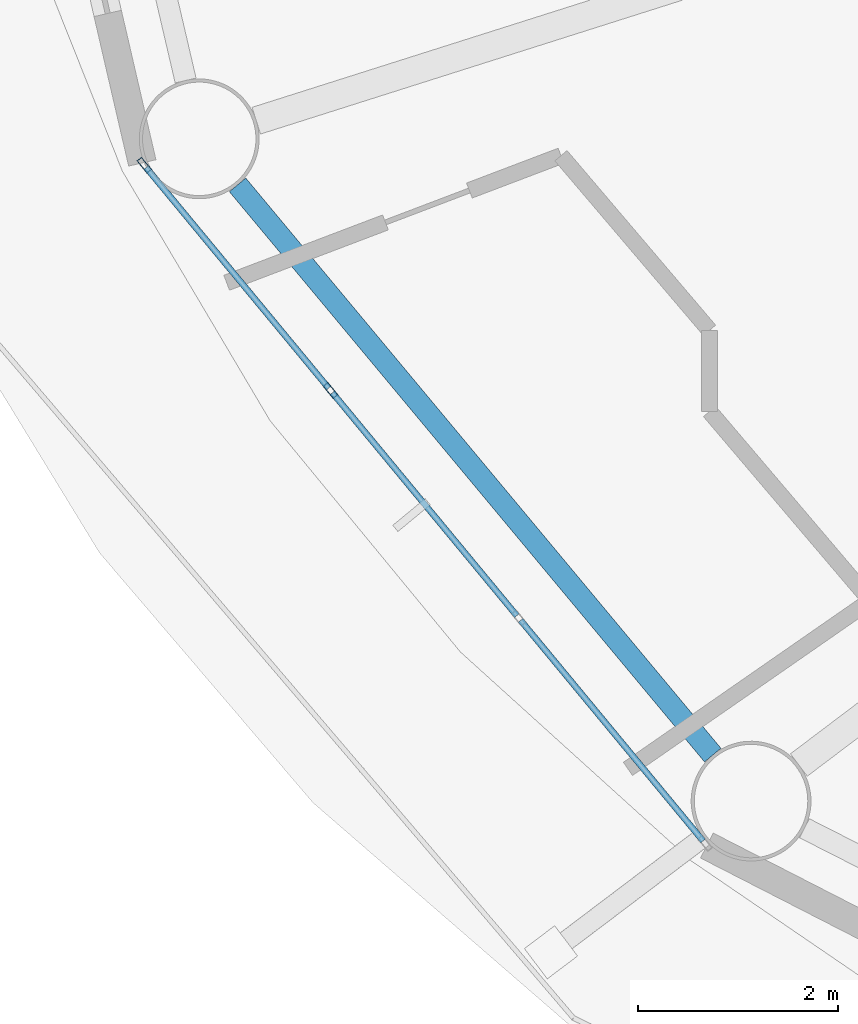
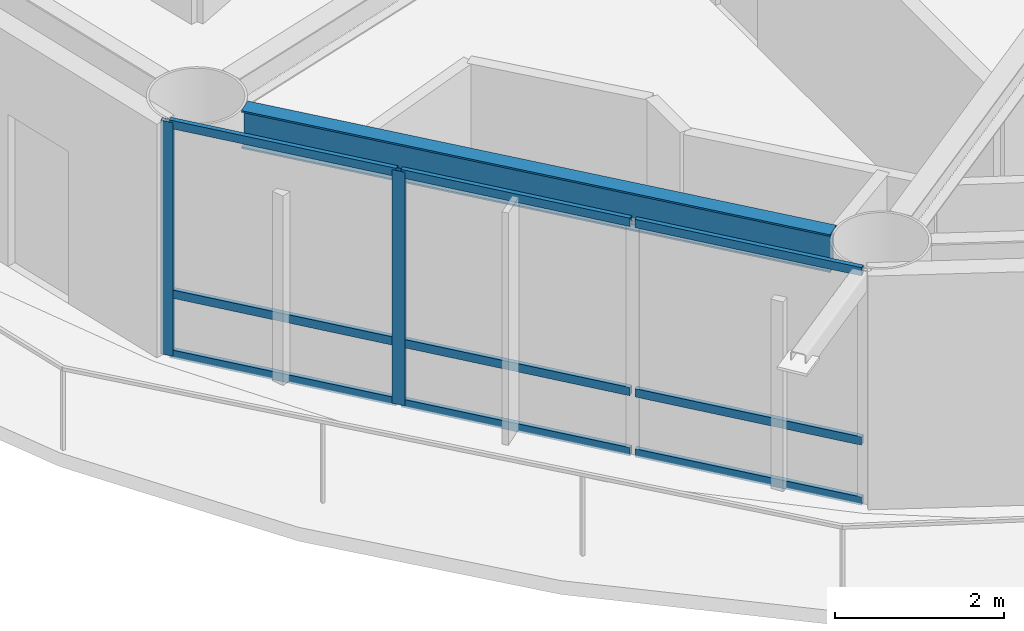
# One storey, part 3 of 27: 11 members, 1 beam, 1 element without a shape of its own.
"""IFC4 building model written with IfcOpenShell, lengths in metres."""

from ifc_helpers import new_model, si_unit, direction, frame, origin, origin_2d, place, context, subcontext, project, spatial, hollow_rectangle, i_section, extrude, material, layer, layer_set, material_profile, profile_set, type_object, element, aggregate, save


model = new_model("IFC4")

# Units and contexts
model_context = context("Model", 3, precision=1e-05, world=origin(), true_north=direction((0.0, 1.0)))
body_context = subcontext(model_context, "Body", "Model", "MODEL_VIEW")
ifc_project = project(units=[si_unit("LENGTHUNIT", "METRE"), si_unit("AREAUNIT", "SQUARE_METRE"), si_unit("VOLUMEUNIT", "CUBIC_METRE"), si_unit("PLANEANGLEUNIT", "RADIAN"), si_unit("MASSUNIT", "GRAM", prefix="KILO")], contexts=[model_context])

# Site, building, storey
site_placement = place(None, origin())
site = spatial("IfcSite", under=ifc_project, at=site_placement, CompositionType="ELEMENT")
building_placement = place(site_placement, origin())
building = spatial("IfcBuilding", under=site, at=building_placement, Name="Sarneth Arch Tower", CompositionType="ELEMENT")
storey_placement = place(building_placement, frame((0.0, 0.0, 193.800048828125)))
storey = spatial("IfcBuildingStorey", under=building, at=storey_placement, Name="L49", CompositionType="ELEMENT", Elevation=193.800048828125)

# Beam
ifc_material_1 = material(Name="Steel S355", Category="steel")
ifc_material_profile_1 = material_profile(ifc_material_1, i_section(OverallWidth=0.214111328125, OverallDepth=0.549072265625, WebThickness=0.0146484375, FlangeThickness=0.023681640625, FilletRadius=0.01806640625, at=origin_2d()), Name="W530x138")
ifc_profile_set_1 = profile_set([ifc_material_profile_1], Name="Steel S355")
beam_type = type_object("IfcBeamType", Name="BM-RAD-530A", PredefinedType="BEAM", material=ifc_profile_set_1)
beam_placement = place(storey_placement, frame((23.721923828125, 33.713134765625, 3.10546875), z_axis=(0.640161793626, -0.768240117399, 0.0), x_axis=(0.768240117399, 0.640161793626, 0.0)))
element("IfcBeam", 1, at=beam_placement, inside=storey, type_object=beam_type, Name="L49 Perimeter spandrel beam 10", PredefinedType="BEAM", context=body_context, shape_type="SweptSolid", body=[
    extrude(i_section(OverallWidth=0.214111328125, OverallDepth=0.549072265625, WebThickness=0.0146484375, FlangeThickness=0.023681640625, FilletRadius=0.01806640625, at=origin_2d()), origin(), (0.0, 0.0, 1.0), 7.43603515625),
])

# Curtain wall, members
ifc_material_2 = material(Name="Anodised aluminium Type AA25 and solar-control low-e laminated IGU", Category="aluminium")
ifc_layer = layer(ifc_material_2, 0.169921875)
ifc_layer_set = layer_set([ifc_layer], Name="Anodised aluminium Type AA25 and solar-control low-e laminated IGU")
curtain_wall_type = type_object("IfcCurtainWallType", Name="CW-RES-MID", PredefinedType="NOTDEFINED", material=ifc_layer_set)
curtain_wall_placement = place(storey_placement, origin())
curtain_wall = element("IfcCurtainWall", 2, at=curtain_wall_placement, inside=storey, type_object=curtain_wall_type, Name="L49 Unitised curtain wall facet 10", PredefinedType="NOTDEFINED")
ifc_material_3 = material(Name="Anodised Aluminium 6063-T6", Category="aluminium")
ifc_material_profile_2 = material_profile(ifc_material_3, hollow_rectangle(XDim=0.06005859375, YDim=0.159912109375, WallThickness=0.00390625, at=origin_2d()), Name="AL-MULL-160x60x4")
ifc_profile_set_2 = profile_set([ifc_material_profile_2], Name="Anodised Aluminium 6063-T6")
member_type_1 = type_object("IfcMemberType", Name="CW-MULLION", PredefinedType="MULLION", material=ifc_profile_set_2)
member_1_placement = place(storey_placement, frame((22.786865234375, 33.909912109375, 0.0), z_axis=(0.0, 0.0, 1.0), x_axis=(0.770590741276, 0.637330298558, 0.0)))
member_1 = element("IfcMember", 3, at=member_1_placement, type_object=member_type_1, Name="CW-SYS-5 mullion 1", PredefinedType="MULLION", context=body_context, shape_type="SweptSolid", body=[
    extrude(hollow_rectangle(XDim=0.06005859375, YDim=0.159912109375, WallThickness=0.00390625, at=origin_2d()), origin(), (0.0, 0.0, 1.0), 3.3798828125),
])
member_2_placement = place(storey_placement, frame((24.653076171875, 31.6533203125, 0.0), z_axis=(0.0, 0.0, 1.0), x_axis=(0.770590741276, 0.637330298558, 0.0)))
member_2 = element("IfcMember", 4, at=member_2_placement, type_object=member_type_1, Name="CW-SYS-5 mullion 2", PredefinedType="MULLION", context=body_context, shape_type="SweptSolid", body=[
    extrude(hollow_rectangle(XDim=0.06005859375, YDim=0.159912109375, WallThickness=0.00390625, at=origin_2d()), origin(), (0.0, 0.0, 1.0), 3.3798828125),
])
ifc_material_4 = material(Name="Anodised Aluminium 6063-T6", Category="aluminium")
ifc_material_profile_3 = material_profile(ifc_material_4, hollow_rectangle(XDim=0.06005859375, YDim=0.1201171875, WallThickness=0.00390625, at=origin_2d()), Name="AL-TRAN-120x60x4")
ifc_profile_set_3 = profile_set([ifc_material_profile_3], Name="Anodised Aluminium 6063-T6")
member_type_2 = type_object("IfcMemberType", Name="CW-TRANSOM", PredefinedType="USERDEFINED", material=ifc_profile_set_3)
member_3_placement = place(storey_placement, frame((22.805908203125, 33.88671875, 0.030029296875), z_axis=(0.637358651504, -0.770567290607, 0.0), x_axis=(0.770567290607, 0.637358651504, 0.0)))
member_3 = element("IfcMember", 5, at=member_3_placement, type_object=member_type_2, Name="CW-SYS-5 transom 1.1", ObjectType="TRANSOM", PredefinedType="USERDEFINED", context=body_context, shape_type="SweptSolid", body=[
    extrude(hollow_rectangle(XDim=0.06005859375, YDim=0.1201171875, WallThickness=0.00390625, at=origin_2d()), origin(), (0.0, 0.0, 1.0), 2.8681640625),
])
member_4_placement = place(storey_placement, frame((22.805908203125, 33.88671875, 0.89990234375), z_axis=(0.637358651504, -0.770567290607, 0.0), x_axis=(0.770567290607, 0.637358651504, 0.0)))
member_4 = element("IfcMember", 6, at=member_4_placement, type_object=member_type_2, Name="CW-SYS-5 transom 1.2", ObjectType="TRANSOM", PredefinedType="USERDEFINED", context=body_context, shape_type="SweptSolid", body=[
    extrude(hollow_rectangle(XDim=0.06005859375, YDim=0.1201171875, WallThickness=0.00390625, at=origin_2d()), origin(), (0.0, 0.0, 1.0), 2.8681640625),
])
member_5_placement = place(storey_placement, frame((22.805908203125, 33.88671875, 3.349853515625), z_axis=(0.637358651504, -0.770567290607, 0.0), x_axis=(0.770567290607, 0.637358651504, 0.0)))
member_5 = element("IfcMember", 7, at=member_5_placement, type_object=member_type_2, Name="CW-SYS-5 transom 1.3", ObjectType="TRANSOM", PredefinedType="USERDEFINED", context=body_context, shape_type="SweptSolid", body=[
    extrude(hollow_rectangle(XDim=0.06005859375, YDim=0.1201171875, WallThickness=0.00390625, at=origin_2d()), origin(), (0.0, 0.0, 1.0), 2.8681640625),
])
member_6_placement = place(storey_placement, frame((24.672119140625, 31.63037109375, 0.030029296875), z_axis=(0.637329777791, -0.770591171985, 0.0), x_axis=(0.770591171985, 0.637329777791, 0.0)))
member_6 = element("IfcMember", 8, at=member_6_placement, type_object=member_type_2, Name="CW-SYS-5 transom 2.1", ObjectType="TRANSOM", PredefinedType="USERDEFINED", context=body_context, shape_type="SweptSolid", body=[
    extrude(hollow_rectangle(XDim=0.06005859375, YDim=0.1201171875, WallThickness=0.00390625, at=origin_2d()), origin(), (0.0, 0.0, 1.0), 2.898193359375),
])
member_7_placement = place(storey_placement, frame((24.672119140625, 31.63037109375, 0.89990234375), z_axis=(0.637329777791, -0.770591171985, 0.0), x_axis=(0.770591171985, 0.637329777791, 0.0)))
member_7 = element("IfcMember", 9, at=member_7_placement, type_object=member_type_2, Name="CW-SYS-5 transom 2.2", ObjectType="TRANSOM", PredefinedType="USERDEFINED", context=body_context, shape_type="SweptSolid", body=[
    extrude(hollow_rectangle(XDim=0.06005859375, YDim=0.1201171875, WallThickness=0.00390625, at=origin_2d()), origin(), (0.0, 0.0, 1.0), 2.898193359375),
])
member_8_placement = place(storey_placement, frame((24.672119140625, 31.63037109375, 3.349853515625), z_axis=(0.637329777791, -0.770591171985, 0.0), x_axis=(0.770591171985, 0.637329777791, 0.0)))
member_8 = element("IfcMember", 10, at=member_8_placement, type_object=member_type_2, Name="CW-SYS-5 transom 2.3", ObjectType="TRANSOM", PredefinedType="USERDEFINED", context=body_context, shape_type="SweptSolid", body=[
    extrude(hollow_rectangle(XDim=0.06005859375, YDim=0.1201171875, WallThickness=0.00390625, at=origin_2d()), origin(), (0.0, 0.0, 1.0), 2.898193359375),
])
member_9_placement = place(storey_placement, frame((26.5576171875, 29.3505859375, 0.030029296875), z_axis=(0.637358651504, -0.770567290607, 0.0), x_axis=(0.770567290607, 0.637358651504, 0.0)))
member_9 = element("IfcMember", 11, at=member_9_placement, type_object=member_type_2, Name="CW-SYS-5 transom 3.1", ObjectType="TRANSOM", PredefinedType="USERDEFINED", context=body_context, shape_type="SweptSolid", body=[
    extrude(hollow_rectangle(XDim=0.06005859375, YDim=0.1201171875, WallThickness=0.00390625, at=origin_2d()), origin(), (0.0, 0.0, 1.0), 2.8681640625),
])
member_10_placement = place(storey_placement, frame((26.5576171875, 29.3505859375, 0.89990234375), z_axis=(0.637358651504, -0.770567290607, 0.0), x_axis=(0.770567290607, 0.637358651504, 0.0)))
member_10 = element("IfcMember", 12, at=member_10_placement, type_object=member_type_2, Name="CW-SYS-5 transom 3.2", ObjectType="TRANSOM", PredefinedType="USERDEFINED", context=body_context, shape_type="SweptSolid", body=[
    extrude(hollow_rectangle(XDim=0.06005859375, YDim=0.1201171875, WallThickness=0.00390625, at=origin_2d()), origin(), (0.0, 0.0, 1.0), 2.8681640625),
])
member_11_placement = place(storey_placement, frame((26.5576171875, 29.3505859375, 3.349853515625), z_axis=(0.637358651504, -0.770567290607, 0.0), x_axis=(0.770567290607, 0.637358651504, 0.0)))
member_11 = element("IfcMember", 13, at=member_11_placement, type_object=member_type_2, Name="CW-SYS-5 transom 3.3", ObjectType="TRANSOM", PredefinedType="USERDEFINED", context=body_context, shape_type="SweptSolid", body=[
    extrude(hollow_rectangle(XDim=0.06005859375, YDim=0.1201171875, WallThickness=0.00390625, at=origin_2d()), origin(), (0.0, 0.0, 1.0), 2.8681640625),
])
aggregate(curtain_wall, [member_1, member_2, member_3, member_4, member_5, member_6, member_7, member_8, member_9, member_10, member_11])

save(model, "model.ifc")
